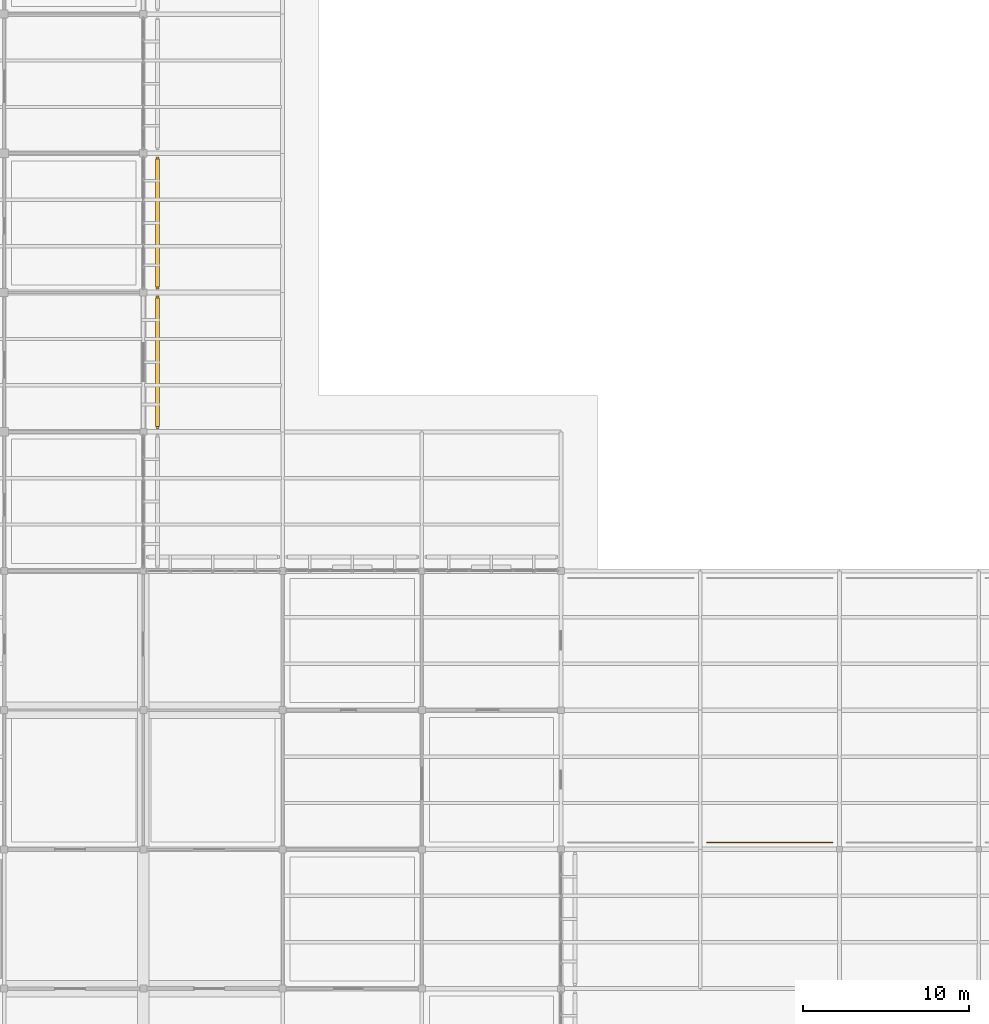
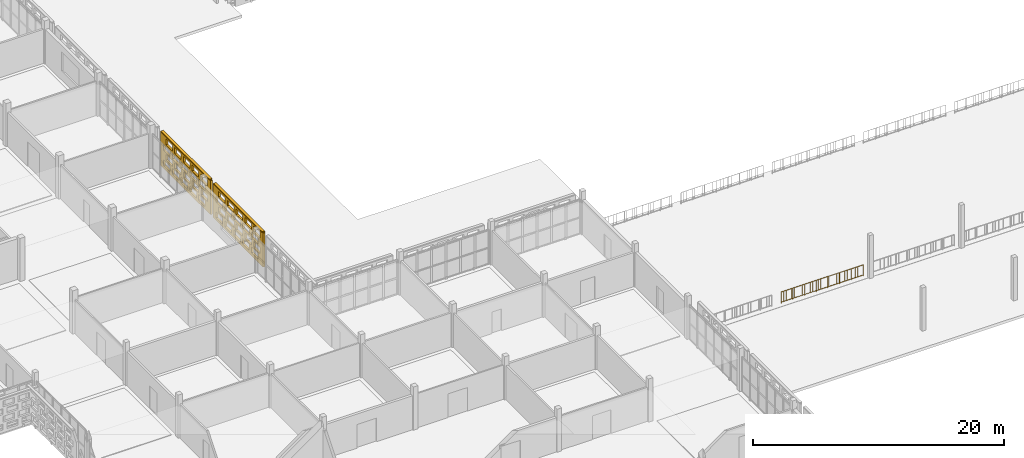
# One storey, part 124 of 166: 2 coverings, 2 shading devices, 1 railing, 40 openings.
"""IFC4 building model written with IfcOpenShell, lengths in metres."""

from ifc_helpers import new_model, si_unit, direction, frame, frame_2d, origin, origin_2d, place, context, subcontext, project, spatial, rectangle, circle, extrude, material, layer, layer_set, type_object, element, save


model = new_model("IFC4")

# Units and contexts
model_context = context("Model", 3, precision=1e-05, world=origin(), true_north=direction((0.0, 1.0)))
body_context = subcontext(model_context, "Body", "Model", "MODEL_VIEW")
ifc_project = project(units=[si_unit("LENGTHUNIT", "METRE"), si_unit("AREAUNIT", "SQUARE_METRE"), si_unit("VOLUMEUNIT", "CUBIC_METRE"), si_unit("PLANEANGLEUNIT", "RADIAN"), si_unit("MASSUNIT", "GRAM", prefix="KILO")], contexts=[model_context])

# Site, building, storey
site_placement = place(None, origin())
site = spatial("IfcSite", under=ifc_project, at=site_placement, CompositionType="ELEMENT")
building_placement = place(site_placement, origin())
building = spatial("IfcBuilding", under=site, at=building_placement, Name="Varnapada Polytechnic", CompositionType="ELEMENT")
storey_placement = place(building_placement, frame((0.0, 0.0, 9.60009765625)))
storey = spatial("IfcBuildingStorey", under=building, at=storey_placement, Name="L02", CompositionType="ELEMENT", Elevation=9.60009765625)

# Railing
ifc_material_1 = material(Name="Painted galvanized steel", Category="steel")
railing_type = type_object("IfcRailingType", Name="Terrace Guard Rail GRD-01", PredefinedType="BALUSTRADE", material=ifc_material_1)
railing_placement = place(storey_placement, frame((67.6201171875, 25.6201171875, 0.0)))
element("IfcRailing", 1, at=railing_placement, inside=storey, type_object=railing_type, Name="L02 terrace perimeter guard rail 3", PredefinedType="BALUSTRADE", context=body_context, shape_type="SweptSolid", body=[
    extrude(circle(Radius=0.02392578125, at=origin_2d()), frame((0.0, 0.0, 1.09619140625), z_axis=(1.0, 0.0, 0.0), x_axis=(0.0, 1.0, 0.0)), (0.0, 0.0, 1.0), 7.559814453125),
    extrude(circle(Radius=0.02392578125, at=origin_2d()), frame((0.0, 0.0, 0.10009765625), z_axis=(1.0, 0.0, 0.0), x_axis=(0.0, 1.0, 0.0)), (0.0, 0.0, 1.0), 7.559814453125),
    extrude(circle(Radius=0.02099609375, at=origin_2d()), origin(), (0.0, 0.0, 1.0), 1.072021484375),
    extrude(circle(Radius=0.02099609375, at=origin_2d()), frame((1.080078125, 0.0, 0.0)), (0.0, 0.0, 1.0), 1.072021484375),
    extrude(circle(Radius=0.02099609375, at=origin_2d()), frame((2.159912109375, 0.0, 0.0)), (0.0, 0.0, 1.0), 1.072021484375),
    extrude(circle(Radius=0.02099609375, at=origin_2d()), frame((3.239990234375, 0.0, 0.0)), (0.0, 0.0, 1.0), 1.072021484375),
    extrude(circle(Radius=0.02099609375, at=origin_2d()), frame((4.31982421875, 0.0, 0.0)), (0.0, 0.0, 1.0), 1.072021484375),
    extrude(circle(Radius=0.02099609375, at=origin_2d()), frame((5.39990234375, 0.0, 0.0)), (0.0, 0.0, 1.0), 1.072021484375),
    extrude(circle(Radius=0.02099609375, at=origin_2d()), frame((6.479736328125, 0.0, 0.0)), (0.0, 0.0, 1.0), 1.072021484375),
    extrude(circle(Radius=0.02099609375, at=origin_2d()), frame((7.559814453125, 0.0, 0.0)), (0.0, 0.0, 1.0), 1.072021484375),
    extrude(circle(Radius=0.010009765625, at=origin_2d()), frame((0.243896484375, 0.0, 0.10009765625)), (0.0, 0.0, 1.0), 0.971923828125),
    extrude(circle(Radius=0.010009765625, at=origin_2d()), frame((0.48779296875, 0.0, 0.10009765625)), (0.0, 0.0, 1.0), 0.971923828125),
    extrude(circle(Radius=0.010009765625, at=origin_2d()), frame((0.731689453125, 0.0, 0.10009765625)), (0.0, 0.0, 1.0), 0.971923828125),
    extrude(circle(Radius=0.010009765625, at=origin_2d()), frame((0.975341796875, 0.0, 0.10009765625)), (0.0, 0.0, 1.0), 0.971923828125),
    extrude(circle(Radius=0.010009765625, at=origin_2d()), frame((1.21923828125, 0.0, 0.10009765625)), (0.0, 0.0, 1.0), 0.971923828125),
    extrude(circle(Radius=0.010009765625, at=origin_2d()), frame((1.463134765625, 0.0, 0.10009765625)), (0.0, 0.0, 1.0), 0.971923828125),
    extrude(circle(Radius=0.010009765625, at=origin_2d()), frame((1.70703125, 0.0, 0.10009765625)), (0.0, 0.0, 1.0), 0.971923828125),
    extrude(circle(Radius=0.010009765625, at=origin_2d()), frame((1.950927734375, 0.0, 0.10009765625)), (0.0, 0.0, 1.0), 0.971923828125),
    extrude(circle(Radius=0.010009765625, at=origin_2d()), frame((2.19482421875, 0.0, 0.10009765625)), (0.0, 0.0, 1.0), 0.971923828125),
    extrude(circle(Radius=0.010009765625, at=origin_2d()), frame((2.438720703125, 0.0, 0.10009765625)), (0.0, 0.0, 1.0), 0.971923828125),
    extrude(circle(Radius=0.010009765625, at=origin_2d()), frame((2.6826171875, 0.0, 0.10009765625)), (0.0, 0.0, 1.0), 0.971923828125),
    extrude(circle(Radius=0.010009765625, at=origin_2d()), frame((2.92626953125, 0.0, 0.10009765625)), (0.0, 0.0, 1.0), 0.971923828125),
    extrude(circle(Radius=0.010009765625, at=origin_2d()), frame((3.170166015625, 0.0, 0.10009765625)), (0.0, 0.0, 1.0), 0.971923828125),
    extrude(circle(Radius=0.010009765625, at=origin_2d()), frame((3.4140625, 0.0, 0.10009765625)), (0.0, 0.0, 1.0), 0.971923828125),
    extrude(circle(Radius=0.010009765625, at=origin_2d()), frame((3.657958984375, 0.0, 0.10009765625)), (0.0, 0.0, 1.0), 0.971923828125),
    extrude(circle(Radius=0.010009765625, at=origin_2d()), frame((3.90185546875, 0.0, 0.10009765625)), (0.0, 0.0, 1.0), 0.971923828125),
    extrude(circle(Radius=0.010009765625, at=origin_2d()), frame((4.145751953125, 0.0, 0.10009765625)), (0.0, 0.0, 1.0), 0.971923828125),
    extrude(circle(Radius=0.010009765625, at=origin_2d()), frame((4.3896484375, 0.0, 0.10009765625)), (0.0, 0.0, 1.0), 0.971923828125),
    extrude(circle(Radius=0.010009765625, at=origin_2d()), frame((4.633544921875, 0.0, 0.10009765625)), (0.0, 0.0, 1.0), 0.971923828125),
    extrude(circle(Radius=0.010009765625, at=origin_2d()), frame((4.877197265625, 0.0, 0.10009765625)), (0.0, 0.0, 1.0), 0.971923828125),
    extrude(circle(Radius=0.010009765625, at=origin_2d()), frame((5.12109375, 0.0, 0.10009765625)), (0.0, 0.0, 1.0), 0.971923828125),
    extrude(circle(Radius=0.010009765625, at=origin_2d()), frame((5.364990234375, 0.0, 0.10009765625)), (0.0, 0.0, 1.0), 0.971923828125),
    extrude(circle(Radius=0.010009765625, at=origin_2d()), frame((5.60888671875, 0.0, 0.10009765625)), (0.0, 0.0, 1.0), 0.971923828125),
    extrude(circle(Radius=0.010009765625, at=origin_2d()), frame((5.852783203125, 0.0, 0.10009765625)), (0.0, 0.0, 1.0), 0.971923828125),
    extrude(circle(Radius=0.010009765625, at=origin_2d()), frame((6.0966796875, 0.0, 0.10009765625)), (0.0, 0.0, 1.0), 0.971923828125),
    extrude(circle(Radius=0.010009765625, at=origin_2d()), frame((6.340576171875, 0.0, 0.10009765625)), (0.0, 0.0, 1.0), 0.971923828125),
    extrude(circle(Radius=0.010009765625, at=origin_2d()), frame((6.58447265625, 0.0, 0.10009765625)), (0.0, 0.0, 1.0), 0.971923828125),
    extrude(circle(Radius=0.010009765625, at=origin_2d()), frame((6.828125, 0.0, 0.10009765625)), (0.0, 0.0, 1.0), 0.971923828125),
    extrude(circle(Radius=0.010009765625, at=origin_2d()), frame((7.072021484375, 0.0, 0.10009765625)), (0.0, 0.0, 1.0), 0.971923828125),
    extrude(circle(Radius=0.010009765625, at=origin_2d()), frame((7.31591796875, 0.0, 0.10009765625)), (0.0, 0.0, 1.0), 0.971923828125),
])

# Covering, openings
ifc_material_2 = material(Name="Earth-toned architectural terracotta screen block", Category="masonry")
ifc_layer_1 = layer(ifc_material_2, 0.1201171875)
ifc_layer_set_1 = layer_set([ifc_layer_1], Name="Earth-toned architectural terracotta screen block")
covering_type = type_object("IfcCoveringType", Name="Terracotta Screen Cladding CLD-01", PredefinedType="CLADDING", material=ifc_layer_set_1)
covering_1_placement = place(storey_placement, frame((34.449951171875, 58.580078125, 0.0), z_axis=(0.0, 0.0, 1.0), x_axis=(0.0, -1.0, 0.0)))
covering_1 = element("IfcCovering", 2, at=covering_1_placement, inside=storey, type_object=covering_type, Name="L02 perforated terracotta block screen (24)", PredefinedType="CLADDING", context=body_context, shape_type="SweptSolid", body=[
    extrude(rectangle(XDim=7.969970703125, YDim=0.179931640625, at=frame_2d((3.98486328125, 0.0))), origin(), (0.0, 0.0, 1.0), 3.31982421875),
])
opening_1_placement = place(covering_1_placement, frame((0.485107421875, 0.0, 0.265625)))
element("IfcOpeningElement", 3, at=opening_1_placement, cuts=covering_1, Name="Screen perforation TBS-L02-023.1", PredefinedType="OPENING", context=body_context, shape_type="SweptSolid", body=[
    extrude(rectangle(XDim=1.0400390625, YDim=0.5810546875, at=frame_2d((0.52001953125, 0.29052734375))), frame((0.0, 0.099853515625, 0.0), z_axis=(0.0, -1.0, 0.0), x_axis=(1.0, 0.0, 0.0)), (0.0, 0.0, 1.0), 0.199951171875),
])
opening_2_placement = place(covering_1_placement, frame((1.885009765625, 0.0, 0.265625)))
element("IfcOpeningElement", 4, at=opening_2_placement, cuts=covering_1, Name="Screen perforation TBS-L02-023.2", PredefinedType="OPENING", context=body_context, shape_type="SweptSolid", body=[
    extrude(rectangle(XDim=1.0400390625, YDim=0.5810546875, at=frame_2d((0.52001953125, 0.29052734375))), frame((0.0, 0.099853515625, 0.0), z_axis=(0.0, -1.0, 0.0), x_axis=(1.0, 0.0, 0.0)), (0.0, 0.0, 1.0), 0.199951171875),
])
opening_3_placement = place(covering_1_placement, frame((3.284912109375, 0.0, 0.265625)))
element("IfcOpeningElement", 5, at=opening_3_placement, cuts=covering_1, Name="Screen perforation TBS-L02-023.3", PredefinedType="OPENING", context=body_context, shape_type="SweptSolid", body=[
    extrude(rectangle(XDim=1.0400390625, YDim=0.5810546875, at=frame_2d((0.52001953125, 0.29052734375))), frame((0.0, 0.099853515625, 0.0), z_axis=(0.0, -1.0, 0.0), x_axis=(1.0, 0.0, 0.0)), (0.0, 0.0, 1.0), 0.199951171875),
])
opening_4_placement = place(covering_1_placement, frame((4.68505859375, 0.0, 0.265625)))
element("IfcOpeningElement", 6, at=opening_4_placement, cuts=covering_1, Name="Screen perforation TBS-L02-023.4", PredefinedType="OPENING", context=body_context, shape_type="SweptSolid", body=[
    extrude(rectangle(XDim=1.0400390625, YDim=0.5810546875, at=frame_2d((0.52001953125, 0.29052734375))), frame((0.0, 0.099853515625, 0.0), z_axis=(0.0, -1.0, 0.0), x_axis=(1.0, 0.0, 0.0)), (0.0, 0.0, 1.0), 0.199951171875),
])
opening_5_placement = place(covering_1_placement, frame((6.0849609375, 0.0, 0.265625)))
element("IfcOpeningElement", 7, at=opening_5_placement, cuts=covering_1, Name="Screen perforation TBS-L02-023.5", PredefinedType="OPENING", context=body_context, shape_type="SweptSolid", body=[
    extrude(rectangle(XDim=1.0400390625, YDim=0.5810546875, at=frame_2d((0.52001953125, 0.29052734375))), frame((0.0, 0.099853515625, 0.0), z_axis=(0.0, -1.0, 0.0), x_axis=(1.0, 0.0, 0.0)), (0.0, 0.0, 1.0), 0.199951171875),
])
opening_6_placement = place(covering_1_placement, frame((0.844970703125, 0.0, 1.0126953125)))
element("IfcOpeningElement", 8, at=opening_6_placement, cuts=covering_1, Name="Screen perforation TBS-L02-023.6", PredefinedType="OPENING", context=body_context, shape_type="SweptSolid", body=[
    extrude(rectangle(XDim=1.0400390625, YDim=0.5810546875, at=frame_2d((0.52001953125, 0.29052734375))), frame((0.0, 0.099853515625, 0.0), z_axis=(0.0, -1.0, 0.0), x_axis=(1.0, 0.0, 0.0)), (0.0, 0.0, 1.0), 0.199951171875),
])
opening_7_placement = place(covering_1_placement, frame((2.2451171875, 0.0, 1.0126953125)))
element("IfcOpeningElement", 9, at=opening_7_placement, cuts=covering_1, Name="Screen perforation TBS-L02-023.7", PredefinedType="OPENING", context=body_context, shape_type="SweptSolid", body=[
    extrude(rectangle(XDim=1.0400390625, YDim=0.5810546875, at=frame_2d((0.52001953125, 0.29052734375))), frame((0.0, 0.099853515625, 0.0), z_axis=(0.0, -1.0, 0.0), x_axis=(1.0, 0.0, 0.0)), (0.0, 0.0, 1.0), 0.199951171875),
])
opening_8_placement = place(covering_1_placement, frame((3.64501953125, 0.0, 1.0126953125)))
element("IfcOpeningElement", 10, at=opening_8_placement, cuts=covering_1, Name="Screen perforation TBS-L02-023.8", PredefinedType="OPENING", context=body_context, shape_type="SweptSolid", body=[
    extrude(rectangle(XDim=1.0400390625, YDim=0.5810546875, at=frame_2d((0.52001953125, 0.29052734375))), frame((0.0, 0.099853515625, 0.0), z_axis=(0.0, -1.0, 0.0), x_axis=(1.0, 0.0, 0.0)), (0.0, 0.0, 1.0), 0.199951171875),
])
opening_9_placement = place(covering_1_placement, frame((5.044921875, 0.0, 1.0126953125)))
element("IfcOpeningElement", 11, at=opening_9_placement, cuts=covering_1, Name="Screen perforation TBS-L02-023.9", PredefinedType="OPENING", context=body_context, shape_type="SweptSolid", body=[
    extrude(rectangle(XDim=1.0400390625, YDim=0.5810546875, at=frame_2d((0.52001953125, 0.29052734375))), frame((0.0, 0.099853515625, 0.0), z_axis=(0.0, -1.0, 0.0), x_axis=(1.0, 0.0, 0.0)), (0.0, 0.0, 1.0), 0.199951171875),
])
opening_10_placement = place(covering_1_placement, frame((6.445068359375, 0.0, 1.0126953125)))
element("IfcOpeningElement", 12, at=opening_10_placement, cuts=covering_1, Name="Screen perforation TBS-L02-023.10", PredefinedType="OPENING", context=body_context, shape_type="SweptSolid", body=[
    extrude(rectangle(XDim=1.0400390625, YDim=0.5810546875, at=frame_2d((0.52001953125, 0.29052734375))), frame((0.0, 0.099853515625, 0.0), z_axis=(0.0, -1.0, 0.0), x_axis=(1.0, 0.0, 0.0)), (0.0, 0.0, 1.0), 0.199951171875),
])
opening_11_placement = place(covering_1_placement, frame((0.485107421875, 0.0, 1.759521484375)))
element("IfcOpeningElement", 13, at=opening_11_placement, cuts=covering_1, Name="Screen perforation TBS-L02-023.11", PredefinedType="OPENING", context=body_context, shape_type="SweptSolid", body=[
    extrude(rectangle(XDim=1.0400390625, YDim=0.5810546875, at=frame_2d((0.52001953125, 0.29052734375))), frame((0.0, 0.099853515625, 0.0), z_axis=(0.0, -1.0, 0.0), x_axis=(1.0, 0.0, 0.0)), (0.0, 0.0, 1.0), 0.199951171875),
])
opening_12_placement = place(covering_1_placement, frame((1.885009765625, 0.0, 1.759521484375)))
element("IfcOpeningElement", 14, at=opening_12_placement, cuts=covering_1, Name="Screen perforation TBS-L02-023.12", PredefinedType="OPENING", context=body_context, shape_type="SweptSolid", body=[
    extrude(rectangle(XDim=1.0400390625, YDim=0.5810546875, at=frame_2d((0.52001953125, 0.29052734375))), frame((0.0, 0.099853515625, 0.0), z_axis=(0.0, -1.0, 0.0), x_axis=(1.0, 0.0, 0.0)), (0.0, 0.0, 1.0), 0.199951171875),
])
opening_13_placement = place(covering_1_placement, frame((3.284912109375, 0.0, 1.759521484375)))
element("IfcOpeningElement", 15, at=opening_13_placement, cuts=covering_1, Name="Screen perforation TBS-L02-023.13", PredefinedType="OPENING", context=body_context, shape_type="SweptSolid", body=[
    extrude(rectangle(XDim=1.0400390625, YDim=0.5810546875, at=frame_2d((0.52001953125, 0.29052734375))), frame((0.0, 0.099853515625, 0.0), z_axis=(0.0, -1.0, 0.0), x_axis=(1.0, 0.0, 0.0)), (0.0, 0.0, 1.0), 0.199951171875),
])
opening_14_placement = place(covering_1_placement, frame((4.68505859375, 0.0, 1.759521484375)))
element("IfcOpeningElement", 16, at=opening_14_placement, cuts=covering_1, Name="Screen perforation TBS-L02-023.14", PredefinedType="OPENING", context=body_context, shape_type="SweptSolid", body=[
    extrude(rectangle(XDim=1.0400390625, YDim=0.5810546875, at=frame_2d((0.52001953125, 0.29052734375))), frame((0.0, 0.099853515625, 0.0), z_axis=(0.0, -1.0, 0.0), x_axis=(1.0, 0.0, 0.0)), (0.0, 0.0, 1.0), 0.199951171875),
])
opening_15_placement = place(covering_1_placement, frame((6.0849609375, 0.0, 1.759521484375)))
element("IfcOpeningElement", 17, at=opening_15_placement, cuts=covering_1, Name="Screen perforation TBS-L02-023.15", PredefinedType="OPENING", context=body_context, shape_type="SweptSolid", body=[
    extrude(rectangle(XDim=1.0400390625, YDim=0.5810546875, at=frame_2d((0.52001953125, 0.29052734375))), frame((0.0, 0.099853515625, 0.0), z_axis=(0.0, -1.0, 0.0), x_axis=(1.0, 0.0, 0.0)), (0.0, 0.0, 1.0), 0.199951171875),
])
opening_16_placement = place(covering_1_placement, frame((0.844970703125, 0.0, 2.506591796875)))
element("IfcOpeningElement", 18, at=opening_16_placement, cuts=covering_1, Name="Screen perforation TBS-L02-023.16", PredefinedType="OPENING", context=body_context, shape_type="SweptSolid", body=[
    extrude(rectangle(XDim=1.0400390625, YDim=0.5810546875, at=frame_2d((0.52001953125, 0.29052734375))), frame((0.0, 0.099853515625, 0.0), z_axis=(0.0, -1.0, 0.0), x_axis=(1.0, 0.0, 0.0)), (0.0, 0.0, 1.0), 0.199951171875),
])
opening_17_placement = place(covering_1_placement, frame((2.2451171875, 0.0, 2.506591796875)))
element("IfcOpeningElement", 19, at=opening_17_placement, cuts=covering_1, Name="Screen perforation TBS-L02-023.17", PredefinedType="OPENING", context=body_context, shape_type="SweptSolid", body=[
    extrude(rectangle(XDim=1.0400390625, YDim=0.5810546875, at=frame_2d((0.52001953125, 0.29052734375))), frame((0.0, 0.099853515625, 0.0), z_axis=(0.0, -1.0, 0.0), x_axis=(1.0, 0.0, 0.0)), (0.0, 0.0, 1.0), 0.199951171875),
])
opening_18_placement = place(covering_1_placement, frame((3.64501953125, 0.0, 2.506591796875)))
element("IfcOpeningElement", 20, at=opening_18_placement, cuts=covering_1, Name="Screen perforation TBS-L02-023.18", PredefinedType="OPENING", context=body_context, shape_type="SweptSolid", body=[
    extrude(rectangle(XDim=1.0400390625, YDim=0.5810546875, at=frame_2d((0.52001953125, 0.29052734375))), frame((0.0, 0.099853515625, 0.0), z_axis=(0.0, -1.0, 0.0), x_axis=(1.0, 0.0, 0.0)), (0.0, 0.0, 1.0), 0.199951171875),
])
opening_19_placement = place(covering_1_placement, frame((5.044921875, 0.0, 2.506591796875)))
element("IfcOpeningElement", 21, at=opening_19_placement, cuts=covering_1, Name="Screen perforation TBS-L02-023.19", PredefinedType="OPENING", context=body_context, shape_type="SweptSolid", body=[
    extrude(rectangle(XDim=1.0400390625, YDim=0.5810546875, at=frame_2d((0.52001953125, 0.29052734375))), frame((0.0, 0.099853515625, 0.0), z_axis=(0.0, -1.0, 0.0), x_axis=(1.0, 0.0, 0.0)), (0.0, 0.0, 1.0), 0.199951171875),
])
opening_20_placement = place(covering_1_placement, frame((6.445068359375, 0.0, 2.506591796875)))
element("IfcOpeningElement", 22, at=opening_20_placement, cuts=covering_1, Name="Screen perforation TBS-L02-023.20", PredefinedType="OPENING", context=body_context, shape_type="SweptSolid", body=[
    extrude(rectangle(XDim=1.0400390625, YDim=0.5810546875, at=frame_2d((0.52001953125, 0.29052734375))), frame((0.0, 0.099853515625, 0.0), z_axis=(0.0, -1.0, 0.0), x_axis=(1.0, 0.0, 0.0)), (0.0, 0.0, 1.0), 0.199951171875),
])

covering_2_placement = place(storey_placement, frame((34.449951171875, 66.969970703125, 0.0), z_axis=(0.0, 0.0, 1.0), x_axis=(0.0, -1.0, 0.0)))
covering_2 = element("IfcCovering", 23, at=covering_2_placement, inside=storey, type_object=covering_type, Name="L02 perforated terracotta block screen (25)", PredefinedType="CLADDING", context=body_context, shape_type="SweptSolid", body=[
    extrude(rectangle(XDim=7.949951171875, YDim=0.179931640625, at=frame_2d((3.97509765625, 0.0))), origin(), (0.0, 0.0, 1.0), 3.31982421875),
])
opening_21_placement = place(covering_2_placement, frame((0.47509765625, 0.0, 0.265625)))
element("IfcOpeningElement", 24, at=opening_21_placement, cuts=covering_2, Name="Screen perforation TBS-L02-024.1", PredefinedType="OPENING", context=body_context, shape_type="SweptSolid", body=[
    extrude(rectangle(XDim=1.0400390625, YDim=0.5810546875, at=frame_2d((0.52001953125, 0.29052734375))), frame((0.0, 0.099853515625, 0.0), z_axis=(0.0, -1.0, 0.0), x_axis=(1.0, 0.0, 0.0)), (0.0, 0.0, 1.0), 0.199951171875),
])
opening_22_placement = place(covering_2_placement, frame((1.875, 0.0, 0.265625)))
element("IfcOpeningElement", 25, at=opening_22_placement, cuts=covering_2, Name="Screen perforation TBS-L02-024.2", PredefinedType="OPENING", context=body_context, shape_type="SweptSolid", body=[
    extrude(rectangle(XDim=1.0400390625, YDim=0.5810546875, at=frame_2d((0.52001953125, 0.29052734375))), frame((0.0, 0.099853515625, 0.0), z_axis=(0.0, -1.0, 0.0), x_axis=(1.0, 0.0, 0.0)), (0.0, 0.0, 1.0), 0.199951171875),
])
opening_23_placement = place(covering_2_placement, frame((3.27490234375, 0.0, 0.265625)))
element("IfcOpeningElement", 26, at=opening_23_placement, cuts=covering_2, Name="Screen perforation TBS-L02-024.3", PredefinedType="OPENING", context=body_context, shape_type="SweptSolid", body=[
    extrude(rectangle(XDim=1.0400390625, YDim=0.5810546875, at=frame_2d((0.52001953125, 0.29052734375))), frame((0.0, 0.099853515625, 0.0), z_axis=(0.0, -1.0, 0.0), x_axis=(1.0, 0.0, 0.0)), (0.0, 0.0, 1.0), 0.199951171875),
])
opening_24_placement = place(covering_2_placement, frame((4.675048828125, 0.0, 0.265625)))
element("IfcOpeningElement", 27, at=opening_24_placement, cuts=covering_2, Name="Screen perforation TBS-L02-024.4", PredefinedType="OPENING", context=body_context, shape_type="SweptSolid", body=[
    extrude(rectangle(XDim=1.0400390625, YDim=0.5810546875, at=frame_2d((0.52001953125, 0.29052734375))), frame((0.0, 0.099853515625, 0.0), z_axis=(0.0, -1.0, 0.0), x_axis=(1.0, 0.0, 0.0)), (0.0, 0.0, 1.0), 0.199951171875),
])
opening_25_placement = place(covering_2_placement, frame((6.074951171875, 0.0, 0.265625)))
element("IfcOpeningElement", 28, at=opening_25_placement, cuts=covering_2, Name="Screen perforation TBS-L02-024.5", PredefinedType="OPENING", context=body_context, shape_type="SweptSolid", body=[
    extrude(rectangle(XDim=1.0400390625, YDim=0.5810546875, at=frame_2d((0.52001953125, 0.29052734375))), frame((0.0, 0.099853515625, 0.0), z_axis=(0.0, -1.0, 0.0), x_axis=(1.0, 0.0, 0.0)), (0.0, 0.0, 1.0), 0.199951171875),
])
opening_26_placement = place(covering_2_placement, frame((0.8349609375, 0.0, 1.0126953125)))
element("IfcOpeningElement", 29, at=opening_26_placement, cuts=covering_2, Name="Screen perforation TBS-L02-024.6", PredefinedType="OPENING", context=body_context, shape_type="SweptSolid", body=[
    extrude(rectangle(XDim=1.0400390625, YDim=0.5810546875, at=frame_2d((0.52001953125, 0.29052734375))), frame((0.0, 0.099853515625, 0.0), z_axis=(0.0, -1.0, 0.0), x_axis=(1.0, 0.0, 0.0)), (0.0, 0.0, 1.0), 0.199951171875),
])
opening_27_placement = place(covering_2_placement, frame((2.235107421875, 0.0, 1.0126953125)))
element("IfcOpeningElement", 30, at=opening_27_placement, cuts=covering_2, Name="Screen perforation TBS-L02-024.7", PredefinedType="OPENING", context=body_context, shape_type="SweptSolid", body=[
    extrude(rectangle(XDim=1.0400390625, YDim=0.5810546875, at=frame_2d((0.52001953125, 0.29052734375))), frame((0.0, 0.099853515625, 0.0), z_axis=(0.0, -1.0, 0.0), x_axis=(1.0, 0.0, 0.0)), (0.0, 0.0, 1.0), 0.199951171875),
])
opening_28_placement = place(covering_2_placement, frame((3.635009765625, 0.0, 1.0126953125)))
element("IfcOpeningElement", 31, at=opening_28_placement, cuts=covering_2, Name="Screen perforation TBS-L02-024.8", PredefinedType="OPENING", context=body_context, shape_type="SweptSolid", body=[
    extrude(rectangle(XDim=1.0400390625, YDim=0.5810546875, at=frame_2d((0.52001953125, 0.29052734375))), frame((0.0, 0.099853515625, 0.0), z_axis=(0.0, -1.0, 0.0), x_axis=(1.0, 0.0, 0.0)), (0.0, 0.0, 1.0), 0.199951171875),
])
opening_29_placement = place(covering_2_placement, frame((5.034912109375, 0.0, 1.0126953125)))
element("IfcOpeningElement", 32, at=opening_29_placement, cuts=covering_2, Name="Screen perforation TBS-L02-024.9", PredefinedType="OPENING", context=body_context, shape_type="SweptSolid", body=[
    extrude(rectangle(XDim=1.0400390625, YDim=0.5810546875, at=frame_2d((0.52001953125, 0.29052734375))), frame((0.0, 0.099853515625, 0.0), z_axis=(0.0, -1.0, 0.0), x_axis=(1.0, 0.0, 0.0)), (0.0, 0.0, 1.0), 0.199951171875),
])
opening_30_placement = place(covering_2_placement, frame((6.43505859375, 0.0, 1.0126953125)))
element("IfcOpeningElement", 33, at=opening_30_placement, cuts=covering_2, Name="Screen perforation TBS-L02-024.10", PredefinedType="OPENING", context=body_context, shape_type="SweptSolid", body=[
    extrude(rectangle(XDim=1.0400390625, YDim=0.5810546875, at=frame_2d((0.52001953125, 0.29052734375))), frame((0.0, 0.099853515625, 0.0), z_axis=(0.0, -1.0, 0.0), x_axis=(1.0, 0.0, 0.0)), (0.0, 0.0, 1.0), 0.199951171875),
])
opening_31_placement = place(covering_2_placement, frame((0.47509765625, 0.0, 1.759521484375)))
element("IfcOpeningElement", 34, at=opening_31_placement, cuts=covering_2, Name="Screen perforation TBS-L02-024.11", PredefinedType="OPENING", context=body_context, shape_type="SweptSolid", body=[
    extrude(rectangle(XDim=1.0400390625, YDim=0.5810546875, at=frame_2d((0.52001953125, 0.29052734375))), frame((0.0, 0.099853515625, 0.0), z_axis=(0.0, -1.0, 0.0), x_axis=(1.0, 0.0, 0.0)), (0.0, 0.0, 1.0), 0.199951171875),
])
opening_32_placement = place(covering_2_placement, frame((1.875, 0.0, 1.759521484375)))
element("IfcOpeningElement", 35, at=opening_32_placement, cuts=covering_2, Name="Screen perforation TBS-L02-024.12", PredefinedType="OPENING", context=body_context, shape_type="SweptSolid", body=[
    extrude(rectangle(XDim=1.0400390625, YDim=0.5810546875, at=frame_2d((0.52001953125, 0.29052734375))), frame((0.0, 0.099853515625, 0.0), z_axis=(0.0, -1.0, 0.0), x_axis=(1.0, 0.0, 0.0)), (0.0, 0.0, 1.0), 0.199951171875),
])
opening_33_placement = place(covering_2_placement, frame((3.27490234375, 0.0, 1.759521484375)))
element("IfcOpeningElement", 36, at=opening_33_placement, cuts=covering_2, Name="Screen perforation TBS-L02-024.13", PredefinedType="OPENING", context=body_context, shape_type="SweptSolid", body=[
    extrude(rectangle(XDim=1.0400390625, YDim=0.5810546875, at=frame_2d((0.52001953125, 0.29052734375))), frame((0.0, 0.099853515625, 0.0), z_axis=(0.0, -1.0, 0.0), x_axis=(1.0, 0.0, 0.0)), (0.0, 0.0, 1.0), 0.199951171875),
])
opening_34_placement = place(covering_2_placement, frame((4.675048828125, 0.0, 1.759521484375)))
element("IfcOpeningElement", 37, at=opening_34_placement, cuts=covering_2, Name="Screen perforation TBS-L02-024.14", PredefinedType="OPENING", context=body_context, shape_type="SweptSolid", body=[
    extrude(rectangle(XDim=1.0400390625, YDim=0.5810546875, at=frame_2d((0.52001953125, 0.29052734375))), frame((0.0, 0.099853515625, 0.0), z_axis=(0.0, -1.0, 0.0), x_axis=(1.0, 0.0, 0.0)), (0.0, 0.0, 1.0), 0.199951171875),
])
opening_35_placement = place(covering_2_placement, frame((6.074951171875, 0.0, 1.759521484375)))
element("IfcOpeningElement", 38, at=opening_35_placement, cuts=covering_2, Name="Screen perforation TBS-L02-024.15", PredefinedType="OPENING", context=body_context, shape_type="SweptSolid", body=[
    extrude(rectangle(XDim=1.0400390625, YDim=0.5810546875, at=frame_2d((0.52001953125, 0.29052734375))), frame((0.0, 0.099853515625, 0.0), z_axis=(0.0, -1.0, 0.0), x_axis=(1.0, 0.0, 0.0)), (0.0, 0.0, 1.0), 0.199951171875),
])
opening_36_placement = place(covering_2_placement, frame((0.8349609375, 0.0, 2.506591796875)))
element("IfcOpeningElement", 39, at=opening_36_placement, cuts=covering_2, Name="Screen perforation TBS-L02-024.16", PredefinedType="OPENING", context=body_context, shape_type="SweptSolid", body=[
    extrude(rectangle(XDim=1.0400390625, YDim=0.5810546875, at=frame_2d((0.52001953125, 0.29052734375))), frame((0.0, 0.099853515625, 0.0), z_axis=(0.0, -1.0, 0.0), x_axis=(1.0, 0.0, 0.0)), (0.0, 0.0, 1.0), 0.199951171875),
])
opening_37_placement = place(covering_2_placement, frame((2.235107421875, 0.0, 2.506591796875)))
element("IfcOpeningElement", 40, at=opening_37_placement, cuts=covering_2, Name="Screen perforation TBS-L02-024.17", PredefinedType="OPENING", context=body_context, shape_type="SweptSolid", body=[
    extrude(rectangle(XDim=1.0400390625, YDim=0.5810546875, at=frame_2d((0.52001953125, 0.29052734375))), frame((0.0, 0.099853515625, 0.0), z_axis=(0.0, -1.0, 0.0), x_axis=(1.0, 0.0, 0.0)), (0.0, 0.0, 1.0), 0.199951171875),
])
opening_38_placement = place(covering_2_placement, frame((3.635009765625, 0.0, 2.506591796875)))
element("IfcOpeningElement", 41, at=opening_38_placement, cuts=covering_2, Name="Screen perforation TBS-L02-024.18", PredefinedType="OPENING", context=body_context, shape_type="SweptSolid", body=[
    extrude(rectangle(XDim=1.0400390625, YDim=0.5810546875, at=frame_2d((0.52001953125, 0.29052734375))), frame((0.0, 0.099853515625, 0.0), z_axis=(0.0, -1.0, 0.0), x_axis=(1.0, 0.0, 0.0)), (0.0, 0.0, 1.0), 0.199951171875),
])
opening_39_placement = place(covering_2_placement, frame((5.034912109375, 0.0, 2.506591796875)))
element("IfcOpeningElement", 42, at=opening_39_placement, cuts=covering_2, Name="Screen perforation TBS-L02-024.19", PredefinedType="OPENING", context=body_context, shape_type="SweptSolid", body=[
    extrude(rectangle(XDim=1.0400390625, YDim=0.5810546875, at=frame_2d((0.52001953125, 0.29052734375))), frame((0.0, 0.099853515625, 0.0), z_axis=(0.0, -1.0, 0.0), x_axis=(1.0, 0.0, 0.0)), (0.0, 0.0, 1.0), 0.199951171875),
])
opening_40_placement = place(covering_2_placement, frame((6.43505859375, 0.0, 2.506591796875)))
element("IfcOpeningElement", 43, at=opening_40_placement, cuts=covering_2, Name="Screen perforation TBS-L02-024.20", PredefinedType="OPENING", context=body_context, shape_type="SweptSolid", body=[
    extrude(rectangle(XDim=1.0400390625, YDim=0.5810546875, at=frame_2d((0.52001953125, 0.29052734375))), frame((0.0, 0.099853515625, 0.0), z_axis=(0.0, -1.0, 0.0), x_axis=(1.0, 0.0, 0.0)), (0.0, 0.0, 1.0), 0.199951171875),
])

# Shading devices
ifc_layer_2 = layer(ifc_material_2, 0.179931640625)
ifc_layer_set_2 = layer_set([ifc_layer_2], Name="Earth-toned architectural terracotta screen block")
shading_device_type = type_object("IfcShadingDeviceType", Name="Terracotta Screen SCR-01", PredefinedType="USERDEFINED", material=ifc_layer_set_2)
shading_device_1_placement = place(storey_placement, frame((34.449951171875, 54.594970703125, 3.309814453125), z_axis=(0.0, 0.0, 1.0), x_axis=(0.0, -1.0, 0.0)))
element("IfcShadingDevice", 44, at=shading_device_1_placement, inside=storey, type_object=shading_device_type, Name="L02 perforated terracotta screen hood 253", ObjectType="SCREEN", PredefinedType="USERDEFINED", context=body_context, shape_type="SweptSolid", body=[
    extrude(rectangle(XDim=7.77001953125, YDim=0.239990234375, at=origin_2d()), origin(), (0.0, 0.0, 1.0), 0.10009765625),
])
shading_device_2_placement = place(storey_placement, frame((34.449951171875, 62.9951171875, 3.309814453125), z_axis=(0.0, 0.0, 1.0), x_axis=(0.0, -1.0, 0.0)))
element("IfcShadingDevice", 45, at=shading_device_2_placement, inside=storey, type_object=shading_device_type, Name="L02 perforated terracotta screen hood 254", ObjectType="SCREEN", PredefinedType="USERDEFINED", context=body_context, shape_type="SweptSolid", body=[
    extrude(rectangle(XDim=7.75, YDim=0.239990234375, at=origin_2d()), origin(), (0.0, 0.0, 1.0), 0.10009765625),
])

save(model, "model.ifc")
